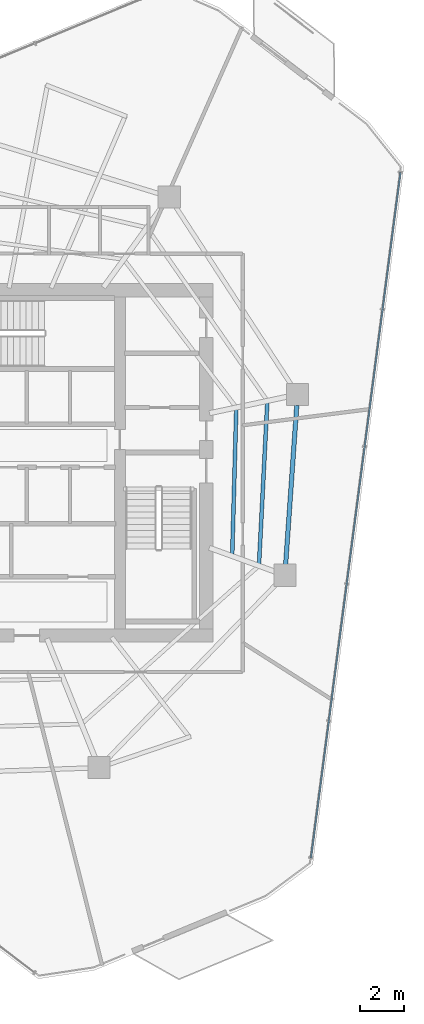
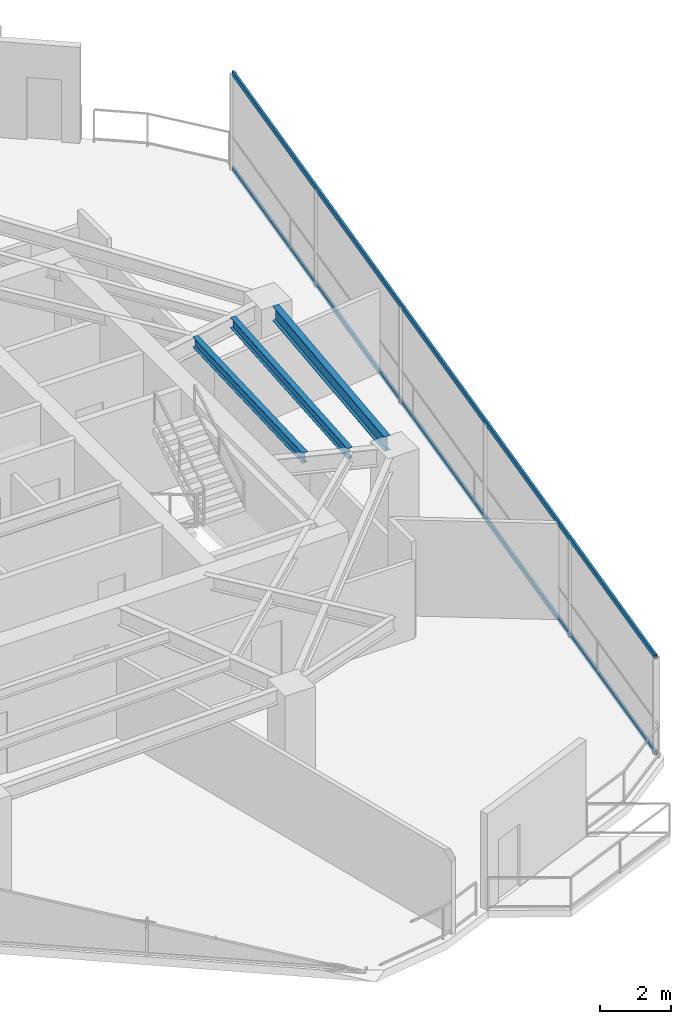
# One storey, part 9 of 20: 3 beams, 2 members, 1 element without a shape of its own.
"""IFC4 building model written with IfcOpenShell, lengths in metres."""

from ifc_helpers import new_model, si_unit, direction, frame, origin, origin_2d, place, context, subcontext, project, spatial, hollow_rectangle, i_section, extrude, material, layer, layer_set, material_profile, profile_set, type_object, element, aggregate, save


model = new_model("IFC4")

# Units and contexts
model_context = context("Model", 3, precision=1e-05, world=origin(), true_north=direction((0.0, 1.0)))
body_context = subcontext(model_context, "Body", "Model", "MODEL_VIEW")
ifc_project = project(units=[si_unit("LENGTHUNIT", "METRE"), si_unit("AREAUNIT", "SQUARE_METRE"), si_unit("VOLUMEUNIT", "CUBIC_METRE"), si_unit("PLANEANGLEUNIT", "RADIAN"), si_unit("MASSUNIT", "GRAM", prefix="KILO")], contexts=[model_context])

# Site, building, storey
site_placement = place(None, origin())
site = spatial("IfcSite", under=ifc_project, at=site_placement, CompositionType="ELEMENT")
building_placement = place(site_placement, origin())
building = spatial("IfcBuilding", under=site, at=building_placement, Name="Qarnah Convention Tower", CompositionType="ELEMENT")
storey_placement = place(building_placement, frame((0.0, 0.0, 150.89990234375)))
storey = spatial("IfcBuildingStorey", under=building, at=storey_placement, Name="L40", CompositionType="ELEMENT", Elevation=150.89990234375)

# Beams
ifc_material_1 = material(Name="Structural steel S355JR", Category="steel")
ifc_material_profile_1 = material_profile(ifc_material_1, i_section(OverallWidth=0.172119140625, OverallDepth=0.35595703125, WebThickness=0.007080078125, FlangeThickness=0.011962890625, at=origin_2d()), Name="W360X51")
ifc_profile_set_1 = profile_set([ifc_material_profile_1], Name="Structural steel S355JR")
beam_type_1 = type_object("IfcBeamType", Name="BM-JST-W360", PredefinedType="JOIST", material=ifc_profile_set_1)
beam_1_placement = place(storey_placement, frame((49.986083984375, 21.837890625, 3.14208984375), z_axis=(0.051212178911, 0.998687795425, 0.0), x_axis=(-0.998687795425, 0.051212178911, 0.0)))
element("IfcBeam", 1, at=beam_1_placement, inside=storey, type_object=beam_type_1, Name="L40 joist BM-L40-SJST-09", PredefinedType="JOIST", context=body_context, shape_type="SweptSolid", body=[
    extrude(i_section(OverallWidth=0.172119140625, OverallDepth=0.35595703125, WebThickness=0.007080078125, FlangeThickness=0.011962890625, at=origin_2d()), origin(), (0.0, 0.0, 1.0), 7.279541015625),
])
beam_2_placement = place(storey_placement, frame((48.77587890625, 22.278076171875, 3.14208984375), z_axis=(0.027875970867, 0.999611389615, 0.0), x_axis=(-0.999611389615, 0.027875970867, 0.0)))
element("IfcBeam", 2, at=beam_2_placement, inside=storey, type_object=beam_type_1, Name="L40 joist BM-L40-IJST-09", PredefinedType="JOIST", context=body_context, shape_type="SweptSolid", body=[
    extrude(i_section(OverallWidth=0.172119140625, OverallDepth=0.35595703125, WebThickness=0.007080078125, FlangeThickness=0.011962890625, at=origin_2d()), origin(), (0.0, 0.0, 1.0), 6.533447265625),
])
ifc_material_profile_2 = material_profile(ifc_material_1, i_section(OverallWidth=0.199951171875, OverallDepth=0.5, WebThickness=0.010009765625, FlangeThickness=0.01611328125, at=origin_2d()), Name="IPE500")
ifc_profile_set_2 = profile_set([ifc_material_profile_2], Name="Structural steel S355JR")
beam_type_2 = type_object("IfcBeamType", Name="BM-SPN-IPE500", PredefinedType="SPANDREL", material=ifc_profile_set_2)
beam_3_placement = place(storey_placement, frame((51.18798828125, 21.81005859375, 3.070068359375), z_axis=(0.069797433651, 0.997561185219, 0.0), x_axis=(-0.997561185219, 0.069797433651, 0.0)))
element("IfcBeam", 3, at=beam_3_placement, inside=storey, type_object=beam_type_2, Name="L40 spandrel BM-L40-SPN-09", PredefinedType="SPANDREL", context=body_context, shape_type="SweptSolid", body=[
    extrude(i_section(OverallWidth=0.199951171875, OverallDepth=0.5, WebThickness=0.010009765625, FlangeThickness=0.01611328125, at=origin_2d()), origin(), (0.0, 0.0, 1.0), 7.20556640625),
])

# Curtain wall, members
ifc_material_2 = material(Name="Tempered Low-E dark glass", Category="glass")
ifc_layer = layer(ifc_material_2, 0.172119140625)
ifc_layer_set = layer_set([ifc_layer], Name="Tempered Low-E dark glass")
curtain_wall_type = type_object("IfcCurtainWallType", Name="CWS-03", PredefinedType="NOTDEFINED", material=ifc_layer_set)
curtain_wall_placement = place(storey_placement, origin())
curtain_wall = element("IfcCurtainWall", 4, at=curtain_wall_placement, inside=storey, type_object=curtain_wall_type, Name="L40 unitised curtain wall CW-L40-F2", PredefinedType="NOTDEFINED")
ifc_material_3 = material(Name="Black anodised aluminium", Category="aluminium")
ifc_material_profile_3 = material_profile(ifc_material_3, hollow_rectangle(XDim=0.070068359375, YDim=0.169921875, WallThickness=0.0048828125, at=origin_2d()), Name="TRN-70X170")
ifc_profile_set_3 = profile_set([ifc_material_profile_3], Name="Black anodised aluminium")
member_type = type_object("IfcMemberType", Name="TRN-T3", PredefinedType="USERDEFINED", material=ifc_profile_set_3)
member_1_placement = place(storey_placement, frame((56.3759765625, 39.52099609375, 0.0), z_axis=(-0.129475557347, -0.99158261383, 0.0), x_axis=(0.99158261383, -0.129475557347, 0.0)))
member_1 = element("IfcMember", 5, at=member_1_placement, type_object=member_type, Name="CW-L40-F2 transom 1", ObjectType="TRANSOM", PredefinedType="USERDEFINED", context=body_context, shape_type="SweptSolid", body=[
    extrude(hollow_rectangle(XDim=0.070068359375, YDim=0.169921875, WallThickness=0.0048828125, at=origin_2d()), origin(), (0.0, 0.0, 1.0), 31.225830078125),
])
member_2_placement = place(storey_placement, frame((56.3759765625, 39.52099609375, 3.320068359375), z_axis=(-0.129475557347, -0.99158261383, 0.0), x_axis=(0.99158261383, -0.129475557347, 0.0)))
member_2 = element("IfcMember", 6, at=member_2_placement, type_object=member_type, Name="CW-L40-F2 transom 2", ObjectType="TRANSOM", PredefinedType="USERDEFINED", context=body_context, shape_type="SweptSolid", body=[
    extrude(hollow_rectangle(XDim=0.070068359375, YDim=0.169921875, WallThickness=0.0048828125, at=origin_2d()), origin(), (0.0, 0.0, 1.0), 31.225830078125),
])
aggregate(curtain_wall, [member_1, member_2])

save(model, "model.ifc")
